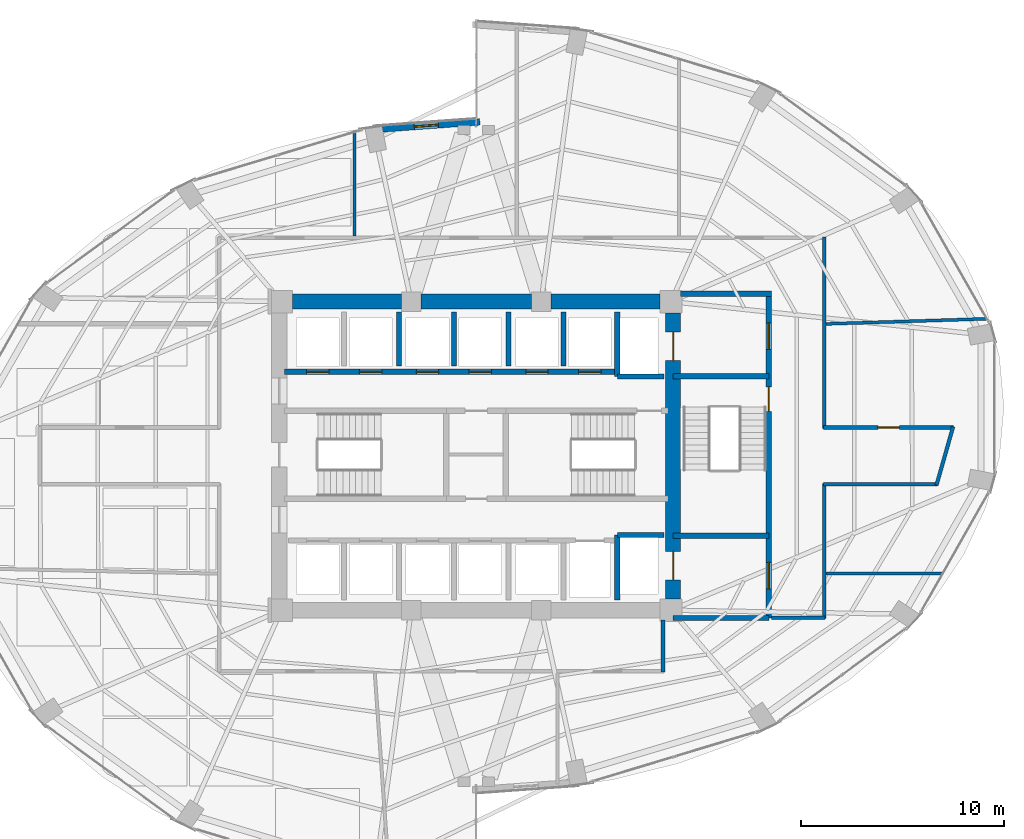
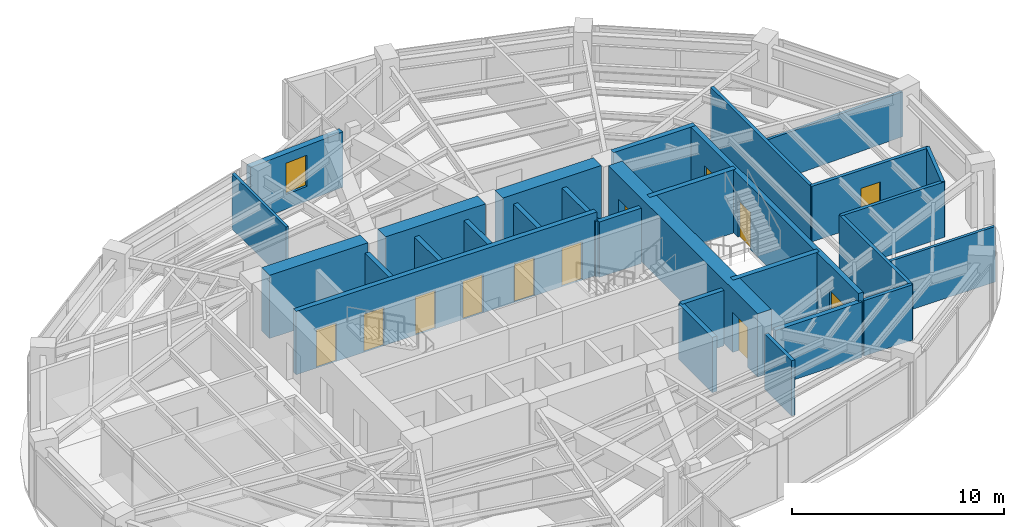
# One storey, part 21 of 24: 29 walls, 12 doors, 1 window, 13 openings.
"""IFC4 building model written with IfcOpenShell, lengths in metres."""

import ifcopenshell
import ifcopenshell.guid

model = None  # the IFC model being written
_history = None  # IfcOwnerHistory: only IFC2X3 demands one
_inside = {}  # id of a spatial element -> (the spatial element, [elements in it])
_under = {}  # id of a project, library or spatial element -> (it, [spatial elements below it])
_declared = {}  # id of a project -> (the project, [libraries it declares])
_typed = {}  # id of a type object -> (the type object, [elements of that type])
_made_of = {}  # id of a material, layer set ... -> (it, [elements and type objects made of it])


def new_model(schema):
    """Start an empty IFC model of exactly this schema.

    Asked for "IFC4X3", IfcOpenShell would pick the latest addendum, in which some entities
    have other attributes; the version numbers below select the first issue.
    IFC2X3 requires an IfcOwnerHistory on every rooted entity: one is made here for all.
    """
    global model, _history
    if schema == "IFC4X3":
        model = ifcopenshell.file(schema_version=(4, 3, 0, 0))
    else:
        model = ifcopenshell.file(schema=schema)
    _inside.clear()
    _under.clear()
    _declared.clear()
    _typed.clear()
    _made_of.clear()
    _history = None
    if model.schema == "IFC2X3":
        org = make("IfcOrganization", Name="unknown")
        user = make(
            "IfcPersonAndOrganization",
            ThePerson=make("IfcPerson", FamilyName="unknown"),
            TheOrganization=org,
        )
        app = make(
            "IfcApplication",
            ApplicationDeveloper=org,
            Version="unknown",
            ApplicationFullName="unknown",
            ApplicationIdentifier="unknown",
        )
        _history = make(
            "IfcOwnerHistory",
            OwningUser=user,
            OwningApplication=app,
            ChangeAction="ADDED",
            CreationDate=0,
        )
    return model


def make(cls, **values):
    """One entity of the class cls with the attributes given. An attribute that is None is left unset."""
    return model.create_entity(
        cls, **{name: value for name, value in values.items() if value is not None}
    )


def rooted(cls, **values):
    """An entity with a GlobalId (a new one), such as an element, a storey or a relation."""
    return make(cls, GlobalId=ifcopenshell.guid.new(), OwnerHistory=_history, **values)


def si_unit(unit_type, name, prefix=None):
    """IfcSIUnit, for example si_unit("LENGTHUNIT", "METRE", prefix="MILLI")."""
    return make("IfcSIUnit", UnitType=unit_type, Prefix=prefix, Name=name)


def assignment(units):
    """IfcUnitAssignment: the units of a project."""
    return None if units is None else make("IfcUnitAssignment", Units=units)


def point(xyz):
    """IfcCartesianPoint."""
    return None if xyz is None else make("IfcCartesianPoint", Coordinates=xyz)


def direction(xyz):
    """IfcDirection."""
    return None if xyz is None else make("IfcDirection", DirectionRatios=xyz)


def frame(location, z_axis=None, x_axis=None):
    """IfcAxis2Placement3D, a coordinate frame: its origin and axes. An axis left out is left unset."""
    return make(
        "IfcAxis2Placement3D",
        Location=point(location),
        Axis=direction(z_axis),
        RefDirection=direction(x_axis),
    )


def frame_2d(location, x_axis=None):
    """IfcAxis2Placement2D, a coordinate frame in the plane: its origin and x axis."""
    return make(
        "IfcAxis2Placement2D", Location=point(location), RefDirection=direction(x_axis)
    )


def origin():
    """The frame at (0, 0, 0) with its axes left unset."""
    return frame((0.0, 0.0, 0.0))


def place(relative_to, where):
    """IfcLocalPlacement: puts the frame where relative to a parent placement (None: the world)."""
    return make(
        "IfcLocalPlacement", PlacementRelTo=relative_to, RelativePlacement=where
    )


def context(
    kind, dimensions, precision=None, world=None, true_north=None, identifier=None
):
    """IfcGeometricRepresentationContext, for example the 3D "Model" context."""
    return make(
        "IfcGeometricRepresentationContext",
        ContextIdentifier=identifier,
        ContextType=kind,
        CoordinateSpaceDimension=dimensions,
        Precision=precision,
        WorldCoordinateSystem=world,
        TrueNorth=true_north,
    )


def subcontext(parent, identifier, kind, view, scale=None):
    """IfcGeometricRepresentationSubContext, for example "Body" below "Model"."""
    return make(
        "IfcGeometricRepresentationSubContext",
        ContextIdentifier=identifier,
        ContextType=kind,
        ParentContext=parent,
        TargetScale=scale,
        TargetView=view,
    )


def project(units=None, contexts=None):
    """IfcProject with its units and contexts."""
    return rooted(
        "IfcProject",
        Name="project",
        RepresentationContexts=contexts,
        UnitsInContext=assignment(units),
    )


def spatial(cls, under=None, at=None, **own):
    """A site, building, storey or space (cls), placed at a placement, below another one or the project."""
    s = rooted(cls, ObjectPlacement=at, **own)
    if under is not None:
        _under.setdefault(under.id(), (under, []))[1].append(s)
    return s


def profile(cls, at=None, kind="AREA", **sizes):
    """A parametric profile (cls). Its sizes go by their IFC names, for example OverallWidth=200.0."""
    return make(cls, ProfileType=kind, Position=at, **sizes)


def rectangle(**sizes):
    """IfcRectangleProfileDef."""
    return profile("IfcRectangleProfileDef", **sizes)


def extrude(swept, where, along, depth):
    """IfcExtrudedAreaSolid: the profile swept, set in the frame where, extruded along a direction by depth."""
    return make(
        "IfcExtrudedAreaSolid",
        SweptArea=swept,
        Position=where,
        ExtrudedDirection=direction(along),
        Depth=depth,
    )


def shape(context_of_items, identifier, shape_type, items):
    """IfcShapeRepresentation: the items that make up one representation, for example the "Body"."""
    return make(
        "IfcShapeRepresentation",
        ContextOfItems=context_of_items,
        RepresentationIdentifier=identifier,
        RepresentationType=shape_type,
        Items=items,
    )


def material(Name=None, Category=None):
    """IfcMaterial."""
    return make("IfcMaterial", Name=Name, Category=Category)


def layer(
    of_material, thickness, ventilated=None, Name=None, Category=None, Priority=None
):
    """IfcMaterialLayer: one layer of a wall or slab, of a material (None: an air gap)."""
    return make(
        "IfcMaterialLayer",
        Material=of_material,
        LayerThickness=thickness,
        IsVentilated=ventilated,
        Name=Name,
        Category=Category,
        Priority=Priority,
    )


def layer_set(layers, Name=None):
    """IfcMaterialLayerSet."""
    return make("IfcMaterialLayerSet", MaterialLayers=layers, LayerSetName=Name)


def made_of(thing, what):
    """Note that an element or type object is made of a material, layer set ...; save() writes the relation."""
    if what is not None:
        _made_of.setdefault(what.id(), (what, []))[1].append(thing)
    return thing


def type_object(cls, material=None, **own):
    """A type object (cls), such as IfcWallType, which elements share."""
    return made_of(rooted(cls, **own), material)


def element(
    cls,
    number,
    at=None,
    inside=None,
    cuts=None,
    type_object=None,
    material=None,
    context=None,
    identifier="Body",
    shape_type=None,
    held_by="IfcProductDefinitionShape",
    body=None,
    shapes=None,
    **own,
):
    """One element of the class cls, such as IfcWall. Its Tag is "e" and its number.

    at: its placement. inside: the storey or other place that contains it. cuts: it is an
    opening in that element (IfcRelVoidsElement). A single representation is given by context,
    identifier, shape_type and body (its items); several are given by shapes. held_by: the class
    of the entity that holds the representations. save() writes the other relations.
    """
    e = rooted(cls, Tag="e%d" % number, ObjectPlacement=at, **own)
    if body is not None:
        shapes = [shape(context, identifier, shape_type, body)]
    if shapes is not None:
        e.Representation = make(held_by, Representations=shapes)
    if inside is not None:
        _inside.setdefault(inside.id(), (inside, []))[1].append(e)
    if cuts is not None:
        rooted(
            "IfcRelVoidsElement", RelatingBuildingElement=cuts, RelatedOpeningElement=e
        )
    if type_object is not None:
        _typed.setdefault(type_object.id(), (type_object, []))[1].append(e)
    return made_of(e, material)


def fill(opening, filler):
    """IfcRelFillsElement: the door or window that sits in an opening."""
    return rooted(
        "IfcRelFillsElement",
        RelatingOpeningElement=opening,
        RelatedBuildingElement=filler,
    )


def aggregate(whole, parts):
    """IfcRelAggregates: a whole, such as a stair, and the parts it consists of."""
    return rooted("IfcRelAggregates", RelatingObject=whole, RelatedObjects=parts)


def save(model, path):
    """Write the relations noted so far, then the file.

    IfcRelAggregates (storeys below a building ...), IfcRelContainedInSpatialStructure (elements
    in a storey), IfcRelDefinesByType, IfcRelAssociatesMaterial and IfcRelDeclares: one each for
    every whole, place, type object, material and project.
    """
    for whole, parts in _under.values():
        aggregate(whole, parts)
    for where, things in _inside.values():
        rooted(
            "IfcRelContainedInSpatialStructure",
            RelatedElements=things,
            RelatingStructure=where,
        )
    for kind, things in _typed.values():
        rooted("IfcRelDefinesByType", RelatedObjects=things, RelatingType=kind)
    for what, things in _made_of.values():
        rooted("IfcRelAssociatesMaterial", RelatedObjects=things, RelatingMaterial=what)
    for by, libraries in _declared.values():
        rooted("IfcRelDeclares", RelatingContext=by, RelatedDefinitions=libraries)
    model.write(path)


model = new_model("IFC4")

# Units and contexts
model_context = context("Model", 3, precision=1e-05, world=origin(), true_north=direction((0.0, 1.0)))
body_context = subcontext(model_context, "Body", "Model", "MODEL_VIEW")
ifc_project = project(units=[si_unit("LENGTHUNIT", "METRE"), si_unit("AREAUNIT", "SQUARE_METRE"), si_unit("VOLUMEUNIT", "CUBIC_METRE"), si_unit("PLANEANGLEUNIT", "RADIAN"), si_unit("MASSUNIT", "GRAM", prefix="KILO")], contexts=[model_context])

# Site, building, storey
site_placement = place(None, origin())
site = spatial("IfcSite", under=ifc_project, at=site_placement, CompositionType="ELEMENT")
building_placement = place(site_placement, origin())
building = spatial("IfcBuilding", under=site, at=building_placement, Name="Lazwardi Medical Tower", CompositionType="ELEMENT")
storey_placement = place(building_placement, frame((0.0, 0.0, 129.16796875)))
storey = spatial("IfcBuildingStorey", under=building, at=storey_placement, Name="L33", CompositionType="ELEMENT", Elevation=129.16796875)

# Wall
ifc_material_1 = material(Name="Fire-rated gypsum board on steel stud", Category="steel")
ifc_layer_1 = layer(ifc_material_1, 0.179931640625)
ifc_layer_set_1 = layer_set([ifc_layer_1], Name="Fire-rated gypsum board on steel stud")
wall_type_1 = type_object("IfcWallType", Name="WL-COR-180", PredefinedType="PARTITIONING", material=ifc_layer_set_1)
wall_1_placement = place(storey_placement, frame((53.14990234375, 38.7900390625, 0.0), z_axis=(0.0, 0.0, 1.0), x_axis=(0.0, -1.0, 0.0)))
element("IfcWall", 1, at=wall_1_placement, inside=storey, type_object=wall_type_1, Name="L33 Corridor partition 5", PredefinedType="PARTITIONING", context=body_context, shape_type="SweptSolid", body=[
    extrude(rectangle(XDim=9.429931640625, YDim=0.179931640625, at=frame_2d((4.71484375, 0.0))), origin(), (0.0, 0.0, 1.0), 3.197998046875),
])

# Wall, opening, door
wall_2_placement = place(storey_placement, frame((53.110107421875, 29.39990234375, 0.0), z_axis=(0.0, 0.0, 1.0), x_axis=(1.0, 0.0, 0.0)))
wall_2 = element("IfcWall", 2, at=wall_2_placement, inside=storey, type_object=wall_type_1, Name="L33 Corridor partition 6", PredefinedType="PARTITIONING", context=body_context, shape_type="SweptSolid", body=[
    extrude(rectangle(XDim=6.41259765625, YDim=0.179931640625, at=frame_2d((3.206298828125, 0.0))), origin(), (0.0, 0.0, 1.0), 3.197998046875),
])
opening_1_placement = place(wall_2_placement, frame((2.681396484375, 0.0, 0.0)))
opening_1 = element("IfcOpeningElement", 3, at=opening_1_placement, cuts=wall_2, Name="Opening D-L33-010", PredefinedType="OPENING", context=body_context, shape_type="SweptSolid", body=[
    extrude(rectangle(XDim=1.050048828125, YDim=2.14990234375, at=frame_2d((0.52490234375, 1.074951171875))), frame((0.0, 0.099853515625, 0.0), z_axis=(0.0, -1.0, 0.0), x_axis=(1.0, 0.0, 0.0)), (0.0, 0.0, 1.0), 0.199951171875),
])
ifc_material_2 = material(Name="Anti-microbial laminate hospital leaf")
door_type_1 = type_object("IfcDoorType", Name="DR-CLN-1050", OperationType="NOTDEFINED", PredefinedType="DOOR", material=ifc_material_2)
door_1_placement = place(opening_1_placement, origin())
door_1 = element("IfcDoor", 4, at=door_1_placement, inside=storey, type_object=door_type_1, Name="L33 Ward Dietetic Pantry Door 04", OperationType="SINGLE_SWING_LEFT", OverallHeight=2.14990234375, OverallWidth=1.050048828125, PredefinedType="DOOR", context=body_context, shape_type="SweptSolid", body=[
    extrude(rectangle(XDim=1.050048828125, YDim=2.14990234375, at=frame_2d((0.52490234375, 1.074951171875))), frame((0.0, 0.02490234375, 0.0), z_axis=(0.0, -1.0, 0.0), x_axis=(1.0, 0.0, 0.0)), (0.0, 0.0, 1.0), 0.050048828125),
])
fill(opening_1, door_1)

# Walls
wall_3_placement = place(storey_placement, frame((59.49365234375, 29.4384765625, 0.0), z_axis=(0.0, 0.0, 1.0), x_axis=(-0.273222154729, -0.961950962453, 0.0)))
element("IfcWall", 5, at=wall_3_placement, inside=storey, type_object=wall_type_1, Name="L33 Corridor partition 7", PredefinedType="PARTITIONING", context=body_context, shape_type="SweptSolid", body=[
    extrude(rectangle(XDim=2.99072265625, YDim=0.179931640625, at=frame_2d((1.495361328125, 0.0))), origin(), (0.0, 0.0, 1.0), 3.197998046875),
])
wall_4_placement = place(storey_placement, frame((58.727294921875, 26.60009765625, 0.0), z_axis=(0.0, 0.0, 1.0), x_axis=(-1.0, 0.0, 0.0)))
element("IfcWall", 6, at=wall_4_placement, inside=storey, type_object=wall_type_1, Name="L33 Corridor partition 8", PredefinedType="PARTITIONING", context=body_context, shape_type="SweptSolid", body=[
    extrude(rectangle(XDim=5.6171875, YDim=0.179931640625, at=frame_2d((2.80859375, 0.0))), origin(), (0.0, 0.0, 1.0), 3.197998046875),
])
wall_5_placement = place(storey_placement, frame((53.14990234375, 26.639892578125, 0.0), z_axis=(0.0, 0.0, 1.0), x_axis=(0.0, -1.0, 0.0)))
element("IfcWall", 7, at=wall_5_placement, inside=storey, type_object=wall_type_1, Name="L33 Corridor partition 9", PredefinedType="PARTITIONING", context=body_context, shape_type="SweptSolid", body=[
    extrude(rectangle(XDim=6.659912109375, YDim=0.179931640625, at=frame_2d((3.330078125, 0.0))), origin(), (0.0, 0.0, 1.0), 3.197998046875),
])
wall_6_placement = place(storey_placement, frame((53.18994140625, 20.02001953125, 0.0), z_axis=(0.0, 0.0, 1.0), x_axis=(-1.0, 0.0, 0.0)))
element("IfcWall", 8, at=wall_6_placement, inside=storey, type_object=wall_type_1, Name="L33 Corridor partition 10", PredefinedType="PARTITIONING", context=body_context, shape_type="SweptSolid", body=[
    extrude(rectangle(XDim=2.64990234375, YDim=0.179931640625, at=frame_2d((1.324951171875, 0.0))), origin(), (0.0, 0.0, 1.0), 3.197998046875),
])
wall_7_placement = place(storey_placement, frame((45.199951171875, 19.909912109375, 0.0), z_axis=(0.0, 0.0, 1.0), x_axis=(0.0, -1.0, 0.0)))
element("IfcWall", 9, at=wall_7_placement, inside=storey, type_object=wall_type_1, Name="L33 Corridor partition 13", PredefinedType="PARTITIONING", context=body_context, shape_type="SweptSolid", body=[
    extrude(rectangle(XDim=2.5498046875, YDim=0.179931640625, at=frame_2d((1.27490234375, 0.0))), origin(), (0.0, 0.0, 1.0), 3.197998046875),
])

# Wall, openings, doors
ifc_material_3 = material(Name="Concrete C70/85", Category="concrete")
ifc_layer_2 = layer(ifc_material_3, 0.75)
ifc_layer_set_2 = layer_set([ifc_layer_2], Name="Concrete C70/85")
wall_type_2 = type_object("IfcWallType", Name="WL-CORE-750", PredefinedType="SHEAR", material=ifc_layer_set_2)
wall_8_placement = place(storey_placement, frame((45.699951171875, 20.949951171875, 0.0), z_axis=(0.0, 0.0, 1.0), x_axis=(0.0, 1.0, 0.0)))
wall_8 = element("IfcWall", 10, at=wall_8_placement, inside=storey, type_object=wall_type_2, Name="Core wall CW-S2 east L33", PredefinedType="SHEAR", context=body_context, shape_type="SweptSolid", body=[
    extrude(rectangle(XDim=14.10009765625, YDim=0.75, at=frame_2d((7.050048828125, 0.0))), origin(), (0.0, 0.0, 1.0), 3.64794921875),
])
opening_2_placement = place(wall_8_placement, frame((11.75, 0.0, 0.0)))
opening_2 = element("IfcOpeningElement", 11, at=opening_2_placement, cuts=wall_8, Name="Opening LD-L33-001", PredefinedType="OPENING", context=body_context, shape_type="SweptSolid", body=[
    extrude(rectangle(XDim=1.39990234375, YDim=2.300048828125, at=frame_2d((0.699951171875, 1.14990234375))), frame((0.0, 0.385009765625, 0.0), z_axis=(0.0, -1.0, 0.0), x_axis=(1.0, 0.0, 0.0)), (0.0, 0.0, 1.0), 0.77001953125),
])
opening_3_placement = place(wall_8_placement, frame((0.949951171875, 0.0, 0.0)))
opening_3 = element("IfcOpeningElement", 12, at=opening_3_placement, cuts=wall_8, Name="Opening LD-L33-002", PredefinedType="OPENING", context=body_context, shape_type="SweptSolid", body=[
    extrude(rectangle(XDim=1.39990234375, YDim=2.300048828125, at=frame_2d((0.699951171875, 1.14990234375))), frame((0.0, 0.385009765625, 0.0), z_axis=(0.0, -1.0, 0.0), x_axis=(1.0, 0.0, 0.0)), (0.0, 0.0, 1.0), 0.77001953125),
])
ifc_material_4 = material(Name="Brushed stainless steel bed-lift landing door", Category="steel")
door_type_2 = type_object("IfcDoorType", Name="DR-LFT-1400", OperationType="NOTDEFINED", PredefinedType="DOOR", material=ifc_material_4)
door_2_placement = place(opening_2_placement, origin())
door_2 = element("IfcDoor", 13, at=door_2_placement, inside=storey, type_object=door_type_2, Name="L33 Lift Landing Door FL-01", OperationType="SLIDING_TO_LEFT", OverallHeight=2.300048828125, OverallWidth=1.39990234375, PredefinedType="DOOR", context=body_context, shape_type="SweptSolid", body=[
    extrude(rectangle(XDim=1.39990234375, YDim=2.300048828125, at=frame_2d((0.699951171875, 1.14990234375))), frame((0.0, 0.02490234375, 0.0), z_axis=(0.0, -1.0, 0.0), x_axis=(1.0, 0.0, 0.0)), (0.0, 0.0, 1.0), 0.050048828125),
])
fill(opening_2, door_2)
door_3_placement = place(opening_3_placement, origin())
door_3 = element("IfcDoor", 14, at=door_3_placement, inside=storey, type_object=door_type_2, Name="L33 Lift Landing Door FL-02", OperationType="SLIDING_TO_LEFT", OverallHeight=2.300048828125, OverallWidth=1.39990234375, PredefinedType="DOOR", context=body_context, shape_type="SweptSolid", body=[
    extrude(rectangle(XDim=1.39990234375, YDim=2.300048828125, at=frame_2d((0.699951171875, 1.14990234375))), frame((0.0, 0.02490234375, 0.0), z_axis=(0.0, -1.0, 0.0), x_axis=(1.0, 0.0, 0.0)), (0.0, 0.0, 1.0), 0.050048828125),
])
fill(opening_3, door_3)

# Walls
wall_9_placement = place(storey_placement, frame((26.949951171875, 35.60009765625, 0.0), z_axis=(0.0, 0.0, 1.0), x_axis=(1.0, 0.0, 0.0)))
element("IfcWall", 15, at=wall_9_placement, inside=storey, type_object=wall_type_2, Name="Core wall CW-S2 N1 L33", PredefinedType="SHEAR", context=body_context, shape_type="SweptSolid", body=[
    extrude(rectangle(XDim=5.375, YDim=0.75, at=frame_2d((2.6875, 0.0))), origin(), (0.0, 0.0, 1.0), 3.64794921875),
])
wall_10_placement = place(storey_placement, frame((33.27490234375, 35.60009765625, 0.0), z_axis=(0.0, 0.0, 1.0), x_axis=(1.0, 0.0, 0.0)))
element("IfcWall", 16, at=wall_10_placement, inside=storey, type_object=wall_type_2, Name="Core wall CW-S2 N2 L33", PredefinedType="SHEAR", context=body_context, shape_type="SweptSolid", body=[
    extrude(rectangle(XDim=5.4501953125, YDim=0.75, at=frame_2d((2.72509765625, 0.0))), origin(), (0.0, 0.0, 1.0), 3.64794921875),
])
wall_11_placement = place(storey_placement, frame((39.675048828125, 35.60009765625, 0.0), z_axis=(0.0, 0.0, 1.0), x_axis=(1.0, 0.0, 0.0)))
element("IfcWall", 17, at=wall_11_placement, inside=storey, type_object=wall_type_2, Name="Core wall CW-S2 N3 L33", PredefinedType="SHEAR", context=body_context, shape_type="SweptSolid", body=[
    extrude(rectangle(XDim=5.375, YDim=0.75, at=frame_2d((2.6875, 0.0))), origin(), (0.0, 0.0, 1.0), 3.64794921875),
])

# Wall, opening, window
ifc_material_5 = material(Name="Precast concrete C45/55", Category="concrete")
ifc_layer_3 = layer(ifc_material_5, 0.320068359375)
ifc_layer_set_3 = layer_set([ifc_layer_3], Name="Precast concrete C45/55")
wall_type_3 = type_object("IfcWallType", Name="WL-IWAN-320", PredefinedType="SOLIDWALL", material=ifc_layer_set_3)
wall_12_placement = place(storey_placement, frame((36.178955078125, 44.452880859375, 0.0), z_axis=(0.0, 0.0, 1.0), x_axis=(-0.997431890304, -0.071621394884, 0.0)))
wall_12 = element("IfcWall", 18, at=wall_12_placement, inside=storey, type_object=wall_type_3, Name="L33 Iwan Portal Return Wall NW_ret", PredefinedType="SOLIDWALL", context=body_context, shape_type="SweptSolid", body=[
    extrude(rectangle(XDim=5.28369140625, YDim=0.320068359375, at=frame_2d((2.641845703125, 0.0))), origin(), (0.0, 0.0, 1.0), 3.197998046875),
])
opening_4_placement = place(wall_12_placement, frame((2.041748046875, 0.0, 0.85009765625)))
opening_4 = element("IfcOpeningElement", 19, at=opening_4_placement, cuts=wall_12, Name="Opening WN-04", PredefinedType="OPENING", context=body_context, shape_type="SweptSolid", body=[
    extrude(rectangle(XDim=1.199951171875, YDim=1.800048828125, at=frame_2d((0.60009765625, 0.89990234375))), frame((0.0, 0.169921875, 0.0), z_axis=(0.0, -1.0, 0.0), x_axis=(1.0, 0.0, 0.0)), (0.0, 0.0, 1.0), 0.340087890625),
])
ifc_material_6 = material(Name="Low-e bronze solar control double glazing", Category="glass")
window_type = type_object("IfcWindowType", Name="WIN-DRUM-1200", PartitioningType="SINGLE_PANEL", PredefinedType="WINDOW", material=ifc_material_6)
window_placement = place(opening_4_placement, origin())
window = element("IfcWindow", 20, at=window_placement, inside=storey, type_object=window_type, Name="L33 Iwan Slot Window NW_ret", OverallHeight=1.800048828125, OverallWidth=1.199951171875, PartitioningType="SINGLE_PANEL", PredefinedType="WINDOW", context=body_context, shape_type="SweptSolid", body=[
    extrude(rectangle(XDim=1.199951171875, YDim=1.800048828125, at=frame_2d((0.60009765625, 0.89990234375))), frame((0.0, 0.030029296875, 0.0), z_axis=(0.0, -1.0, 0.0), x_axis=(1.0, 0.0, 0.0)), (0.0, 0.0, 1.0), 0.06005859375),
])
fill(opening_4, window)

# Walls
ifc_material_7 = material(Name="Autoclaved aerated concrete blockwork", Category="masonry")
ifc_layer_4 = layer(ifc_material_7, 0.25)
ifc_layer_set_4 = layer_set([ifc_layer_4], Name="Autoclaved aerated concrete blockwork")
wall_type_4 = type_object("IfcWallType", Name="WL-SHAFT-250", PredefinedType="SOLIDWALL", material=ifc_layer_set_4)
wall_13_placement = place(storey_placement, frame((42.949951171875, 31.919921875, 0.0), z_axis=(0.0, 0.0, 1.0), x_axis=(0.0, 1.0, 0.0)))
element("IfcWall", 21, at=wall_13_placement, inside=storey, type_object=wall_type_4, Name="L33 FL-01 West shaft wall", PredefinedType="SOLIDWALL", context=body_context, shape_type="SweptSolid", body=[
    extrude(rectangle(XDim=3.18017578125, YDim=0.25, at=frame_2d((1.590087890625, 0.0))), origin(), (0.0, 0.0, 1.0), 3.197998046875),
])
wall_14_placement = place(storey_placement, frame((42.949951171875, 31.919921875, 0.0), z_axis=(0.0, 0.0, 1.0), x_axis=(1.0, 0.0, 0.0)))
element("IfcWall", 22, at=wall_14_placement, inside=storey, type_object=wall_type_4, Name="L33 FL-01 South shaft wall", PredefinedType="SOLIDWALL", context=body_context, shape_type="SweptSolid", body=[
    extrude(rectangle(XDim=2.300048828125, YDim=0.25, at=frame_2d((1.14990234375, 0.0))), origin(), (0.0, 0.0, 1.0), 3.197998046875),
])
wall_15_placement = place(storey_placement, frame((42.949951171875, 20.89990234375, 0.0), z_axis=(0.0, 0.0, 1.0), x_axis=(0.0, 1.0, 0.0)))
element("IfcWall", 23, at=wall_15_placement, inside=storey, type_object=wall_type_4, Name="L33 FL-02 West shaft wall", PredefinedType="SOLIDWALL", context=body_context, shape_type="SweptSolid", body=[
    extrude(rectangle(XDim=3.2001953125, YDim=0.25, at=frame_2d((1.60009765625, 0.0))), origin(), (0.0, 0.0, 1.0), 3.197998046875),
])
wall_16_placement = place(storey_placement, frame((42.949951171875, 24.10009765625, 0.0), z_axis=(0.0, 0.0, 1.0), x_axis=(1.0, 0.0, 0.0)))
element("IfcWall", 24, at=wall_16_placement, inside=storey, type_object=wall_type_4, Name="L33 FL-02 North shaft wall", PredefinedType="SOLIDWALL", context=body_context, shape_type="SweptSolid", body=[
    extrude(rectangle(XDim=2.300048828125, YDim=0.25, at=frame_2d((1.14990234375, 0.0))), origin(), (0.0, 0.0, 1.0), 3.197998046875),
])
for number, where, z_axis, x_axis, name in (
    (25, (32.199951171875, 32.419921875, 0.0), (0.0, 0.0, 1.0), (0.0, 1.0, 0.0), "L33 North hoistway divider"),
    (26, (34.89990234375, 32.419921875, 0.0), (0.0, 0.0, 1.0), (0.0, 1.0, 0.0), "L33 North hoistway divider"),
    (27, (37.60009765625, 32.419921875, 0.0), (0.0, 0.0, 1.0), (0.0, 1.0, 0.0), "L33 North hoistway divider"),
    (28, (40.300048828125, 32.419921875, 0.0), (0.0, 0.0, 1.0), (0.0, 1.0, 0.0), "L33 North hoistway divider"),
):
    element("IfcWall", number, at=place(storey_placement, frame(where, z_axis=z_axis, x_axis=x_axis)), inside=storey, type_object=wall_type_4, Name=name, PredefinedType="SOLIDWALL", context=body_context, shape_type="SweptSolid", body=[
        extrude(rectangle(XDim=2.68017578125, YDim=0.25, at=frame_2d((1.340087890625, 0.0))), origin(), (0.0, 0.0, 1.0), 3.197998046875),
    ])
wall_17_placement = place(storey_placement, frame((45.699951171875, 20.02001953125, 0.0), z_axis=(0.0, 0.0, 1.0), x_axis=(1.0, 0.0, 0.0)))
element("IfcWall", 29, at=wall_17_placement, inside=storey, type_object=wall_type_4, Name="L33 FFL-S South wall", PredefinedType="SOLIDWALL", context=body_context, shape_type="SweptSolid", body=[
    extrude(rectangle(XDim=4.715087890625, YDim=0.25, at=frame_2d((2.357421875, 0.0))), origin(), (0.0, 0.0, 1.0), 3.197998046875),
])

# Wall, openings, doors
ifc_material_8 = material(Name="Concrete C50/60", Category="concrete")
ifc_layer_5 = layer(ifc_material_8, 0.27001953125)
ifc_layer_set_5 = layer_set([ifc_layer_5], Name="Concrete C50/60")
wall_type_5 = type_object("IfcWallType", Name="WL-STR-250", PredefinedType="SHEAR", material=ifc_layer_set_5)
wall_18_placement = place(storey_placement, frame((26.550048828125, 32.14990234375, 0.0), z_axis=(0.0, 0.0, 1.0), x_axis=(1.0, 0.0, 0.0)))
wall_18 = element("IfcWall", 30, at=wall_18_placement, inside=storey, type_object=wall_type_5, Name="L33 North lift bank shear wall SW-S1", PredefinedType="SHEAR", context=body_context, shape_type="SweptSolid", body=[
    extrude(rectangle(XDim=16.39990234375, YDim=0.27001953125, at=frame_2d((8.199951171875, 0.0))), origin(), (0.0, 0.0, 1.0), 3.64794921875),
])
opening_5_placement = place(wall_18_placement, frame((1.10009765625, 0.0, 0.0)))
opening_5 = element("IfcOpeningElement", 31, at=opening_5_placement, cuts=wall_18, Name="Opening LD-L33-004", PredefinedType="OPENING", context=body_context, shape_type="SweptSolid", body=[
    extrude(rectangle(XDim=1.10009765625, YDim=2.199951171875, at=frame_2d((0.550048828125, 1.10009765625))), frame((0.0, 0.14501953125, 0.0), z_axis=(0.0, -1.0, 0.0), x_axis=(1.0, 0.0, 0.0)), (0.0, 0.0, 1.0), 0.2900390625),
])
opening_6_placement = place(wall_18_placement, frame((3.699951171875, 0.0, 0.0)))
opening_6 = element("IfcOpeningElement", 32, at=opening_6_placement, cuts=wall_18, Name="Opening LD-L33-005", PredefinedType="OPENING", context=body_context, shape_type="SweptSolid", body=[
    extrude(rectangle(XDim=1.10009765625, YDim=2.199951171875, at=frame_2d((0.550048828125, 1.10009765625))), frame((0.0, 0.14501953125, 0.0), z_axis=(0.0, -1.0, 0.0), x_axis=(1.0, 0.0, 0.0)), (0.0, 0.0, 1.0), 0.2900390625),
])
opening_7_placement = place(wall_18_placement, frame((6.5, 0.0, 0.0)))
opening_7 = element("IfcOpeningElement", 33, at=opening_7_placement, cuts=wall_18, Name="Opening LD-L33-008", PredefinedType="OPENING", context=body_context, shape_type="SweptSolid", body=[
    extrude(rectangle(XDim=1.10009765625, YDim=2.199951171875, at=frame_2d((0.550048828125, 1.10009765625))), frame((0.0, 0.14501953125, 0.0), z_axis=(0.0, -1.0, 0.0), x_axis=(1.0, 0.0, 0.0)), (0.0, 0.0, 1.0), 0.2900390625),
])
opening_8_placement = place(wall_18_placement, frame((9.10009765625, 0.0, 0.0)))
opening_8 = element("IfcOpeningElement", 34, at=opening_8_placement, cuts=wall_18, Name="Opening LD-L33-009", PredefinedType="OPENING", context=body_context, shape_type="SweptSolid", body=[
    extrude(rectangle(XDim=1.10009765625, YDim=2.199951171875, at=frame_2d((0.550048828125, 1.10009765625))), frame((0.0, 0.14501953125, 0.0), z_axis=(0.0, -1.0, 0.0), x_axis=(1.0, 0.0, 0.0)), (0.0, 0.0, 1.0), 0.2900390625),
])
opening_9_placement = place(wall_18_placement, frame((11.89990234375, 0.0, 0.0)))
opening_9 = element("IfcOpeningElement", 35, at=opening_9_placement, cuts=wall_18, Name="Opening LD-L33-012", PredefinedType="OPENING", context=body_context, shape_type="SweptSolid", body=[
    extrude(rectangle(XDim=1.10009765625, YDim=2.199951171875, at=frame_2d((0.550048828125, 1.10009765625))), frame((0.0, 0.14501953125, 0.0), z_axis=(0.0, -1.0, 0.0), x_axis=(1.0, 0.0, 0.0)), (0.0, 0.0, 1.0), 0.2900390625),
])
opening_10_placement = place(wall_18_placement, frame((14.5, 0.0, 0.0)))
opening_10 = element("IfcOpeningElement", 36, at=opening_10_placement, cuts=wall_18, Name="Opening LD-L33-013", PredefinedType="OPENING", context=body_context, shape_type="SweptSolid", body=[
    extrude(rectangle(XDim=1.10009765625, YDim=2.199951171875, at=frame_2d((0.550048828125, 1.10009765625))), frame((0.0, 0.14501953125, 0.0), z_axis=(0.0, -1.0, 0.0), x_axis=(1.0, 0.0, 0.0)), (0.0, 0.0, 1.0), 0.2900390625),
])
ifc_material_9 = material(Name="Brushed bronze stainless steel landing door", Category="steel")
door_type_3 = type_object("IfcDoorType", Name="DR-LFT-1100", OperationType="NOTDEFINED", PredefinedType="DOOR", material=ifc_material_9)
door_4_placement = place(opening_5_placement, origin())
door_4 = element("IfcDoor", 37, at=door_4_placement, inside=storey, type_object=door_type_3, Name="L33 Lift Landing Door PL-01", OperationType="SLIDING_TO_LEFT", OverallHeight=2.199951171875, OverallWidth=1.10009765625, PredefinedType="DOOR", context=body_context, shape_type="SweptSolid", body=[
    extrude(rectangle(XDim=1.10009765625, YDim=2.199951171875, at=frame_2d((0.550048828125, 1.10009765625))), frame((0.0, 0.02490234375, 0.0), z_axis=(0.0, -1.0, 0.0), x_axis=(1.0, 0.0, 0.0)), (0.0, 0.0, 1.0), 0.050048828125),
])
fill(opening_5, door_4)
door_5_placement = place(opening_6_placement, origin())
door_5 = element("IfcDoor", 38, at=door_5_placement, inside=storey, type_object=door_type_3, Name="L33 Lift Landing Door PL-02", OperationType="SLIDING_TO_LEFT", OverallHeight=2.199951171875, OverallWidth=1.10009765625, PredefinedType="DOOR", context=body_context, shape_type="SweptSolid", body=[
    extrude(rectangle(XDim=1.10009765625, YDim=2.199951171875, at=frame_2d((0.550048828125, 1.10009765625))), frame((0.0, 0.02490234375, 0.0), z_axis=(0.0, -1.0, 0.0), x_axis=(1.0, 0.0, 0.0)), (0.0, 0.0, 1.0), 0.050048828125),
])
fill(opening_6, door_5)
door_6_placement = place(opening_7_placement, origin())
door_6 = element("IfcDoor", 39, at=door_6_placement, inside=storey, type_object=door_type_3, Name="L33 Lift Landing Door PL-05", OperationType="SLIDING_TO_LEFT", OverallHeight=2.199951171875, OverallWidth=1.10009765625, PredefinedType="DOOR", context=body_context, shape_type="SweptSolid", body=[
    extrude(rectangle(XDim=1.10009765625, YDim=2.199951171875, at=frame_2d((0.550048828125, 1.10009765625))), frame((0.0, 0.02490234375, 0.0), z_axis=(0.0, -1.0, 0.0), x_axis=(1.0, 0.0, 0.0)), (0.0, 0.0, 1.0), 0.050048828125),
])
fill(opening_7, door_6)
door_7_placement = place(opening_8_placement, origin())
door_7 = element("IfcDoor", 40, at=door_7_placement, inside=storey, type_object=door_type_3, Name="L33 Lift Landing Door PL-06", OperationType="SLIDING_TO_LEFT", OverallHeight=2.199951171875, OverallWidth=1.10009765625, PredefinedType="DOOR", context=body_context, shape_type="SweptSolid", body=[
    extrude(rectangle(XDim=1.10009765625, YDim=2.199951171875, at=frame_2d((0.550048828125, 1.10009765625))), frame((0.0, 0.02490234375, 0.0), z_axis=(0.0, -1.0, 0.0), x_axis=(1.0, 0.0, 0.0)), (0.0, 0.0, 1.0), 0.050048828125),
])
fill(opening_8, door_7)
door_8_placement = place(opening_9_placement, origin())
door_8 = element("IfcDoor", 41, at=door_8_placement, inside=storey, type_object=door_type_3, Name="L33 Lift Landing Door PL-09", OperationType="SLIDING_TO_LEFT", OverallHeight=2.199951171875, OverallWidth=1.10009765625, PredefinedType="DOOR", context=body_context, shape_type="SweptSolid", body=[
    extrude(rectangle(XDim=1.10009765625, YDim=2.199951171875, at=frame_2d((0.550048828125, 1.10009765625))), frame((0.0, 0.02490234375, 0.0), z_axis=(0.0, -1.0, 0.0), x_axis=(1.0, 0.0, 0.0)), (0.0, 0.0, 1.0), 0.050048828125),
])
fill(opening_9, door_8)
door_9_placement = place(opening_10_placement, origin())
door_9 = element("IfcDoor", 42, at=door_9_placement, inside=storey, type_object=door_type_3, Name="L33 Lift Landing Door PL-10", OperationType="SLIDING_TO_LEFT", OverallHeight=2.199951171875, OverallWidth=1.10009765625, PredefinedType="DOOR", context=body_context, shape_type="SweptSolid", body=[
    extrude(rectangle(XDim=1.10009765625, YDim=2.199951171875, at=frame_2d((0.550048828125, 1.10009765625))), frame((0.0, 0.02490234375, 0.0), z_axis=(0.0, -1.0, 0.0), x_axis=(1.0, 0.0, 0.0)), (0.0, 0.0, 1.0), 0.050048828125),
])
fill(opening_10, door_9)

wall_19_placement = place(storey_placement, frame((50.4150390625, 35.844970703125, 0.0), z_axis=(0.0, 0.0, 1.0), x_axis=(0.0, -1.0, 0.0)))
wall_19 = element("IfcWall", 43, at=wall_19_placement, inside=storey, type_object=wall_type_5, Name="L33 East ST3 & FFL shear wall SW-S1", PredefinedType="SHEAR", context=body_context, shape_type="SweptSolid", body=[
    extrude(rectangle(XDim=15.824951171875, YDim=0.27001953125, at=frame_2d((7.91259765625, 0.0))), origin(), (0.0, 0.0, 1.0), 3.64794921875),
])
opening_11_placement = place(wall_19_placement, frame((4.445068359375, 0.0, 0.0)))
opening_11 = element("IfcOpeningElement", 44, at=opening_11_placement, cuts=wall_19, Name="Opening D-L33-018", PredefinedType="OPENING", context=body_context, shape_type="SweptSolid", body=[
    extrude(rectangle(XDim=1.199951171875, YDim=2.14990234375, at=frame_2d((0.60009765625, 1.074951171875))), frame((0.0, 0.14501953125, 0.0), z_axis=(0.0, -1.0, 0.0), x_axis=(1.0, 0.0, 0.0)), (0.0, 0.0, 1.0), 0.2900390625),
])
opening_12_placement = place(wall_19_placement, frame((1.294921875, 0.0, 0.0)))
opening_12 = element("IfcOpeningElement", 45, at=opening_12_placement, cuts=wall_19, Name="Opening D-L33-003", PredefinedType="OPENING", context=body_context, shape_type="SweptSolid", body=[
    extrude(rectangle(XDim=1.300048828125, YDim=2.199951171875, at=frame_2d((0.64990234375, 1.10009765625))), frame((0.0, 0.14501953125, 0.0), z_axis=(0.0, -1.0, 0.0), x_axis=(1.0, 0.0, 0.0)), (0.0, 0.0, 1.0), 0.2900390625),
])
opening_13_placement = place(wall_19_placement, frame((13.094970703125, 0.0, 0.0)))
opening_13 = element("IfcOpeningElement", 46, at=opening_13_placement, cuts=wall_19, Name="Opening D-L33-004", PredefinedType="OPENING", context=body_context, shape_type="SweptSolid", body=[
    extrude(rectangle(XDim=1.300048828125, YDim=2.199951171875, at=frame_2d((0.64990234375, 1.10009765625))), frame((0.0, 0.14501953125, 0.0), z_axis=(0.0, -1.0, 0.0), x_axis=(1.0, 0.0, 0.0)), (0.0, 0.0, 1.0), 0.2900390625),
])
ifc_material_10 = material(Name="Fire-rated steel leaf and frame", Category="steel")
door_type_4 = type_object("IfcDoorType", Name="DR-FFL-1300", OperationType="NOTDEFINED", PredefinedType="DOOR", material=ifc_material_10)
door_10_placement = place(opening_12_placement, origin())
door_10 = element("IfcDoor", 47, at=door_10_placement, inside=storey, type_object=door_type_4, Name="L33 Fire-Fighting Lobby North Door", OperationType="SINGLE_SWING_RIGHT", OverallHeight=2.199951171875, OverallWidth=1.300048828125, PredefinedType="DOOR", context=body_context, shape_type="SweptSolid", body=[
    extrude(rectangle(XDim=1.300048828125, YDim=2.199951171875, at=frame_2d((0.64990234375, 1.10009765625))), frame((0.0, 0.02490234375, 0.0), z_axis=(0.0, -1.0, 0.0), x_axis=(1.0, 0.0, 0.0)), (0.0, 0.0, 1.0), 0.050048828125),
])
fill(opening_12, door_10)
door_11_placement = place(opening_13_placement, origin())
door_11 = element("IfcDoor", 48, at=door_11_placement, inside=storey, type_object=door_type_4, Name="L33 Fire-Fighting Lobby South Door", OperationType="SINGLE_SWING_LEFT", OverallHeight=2.199951171875, OverallWidth=1.300048828125, PredefinedType="DOOR", context=body_context, shape_type="SweptSolid", body=[
    extrude(rectangle(XDim=1.300048828125, YDim=2.199951171875, at=frame_2d((0.64990234375, 1.10009765625))), frame((0.0, 0.02490234375, 0.0), z_axis=(0.0, -1.0, 0.0), x_axis=(1.0, 0.0, 0.0)), (0.0, 0.0, 1.0), 0.050048828125),
])
fill(opening_13, door_11)
door_type_5 = type_object("IfcDoorType", Name="DR-STR-1200", OperationType="NOTDEFINED", PredefinedType="DOOR", material=ifc_material_10)
door_12_placement = place(opening_11_placement, origin())
door_12 = element("IfcDoor", 49, at=door_12_placement, inside=storey, type_object=door_type_5, Name="L33 Exit Stair ST3 Door", OperationType="SINGLE_SWING_LEFT", OverallHeight=2.14990234375, OverallWidth=1.199951171875, PredefinedType="DOOR", context=body_context, shape_type="SweptSolid", body=[
    extrude(rectangle(XDim=1.199951171875, YDim=2.14990234375, at=frame_2d((0.60009765625, 1.074951171875))), frame((0.0, 0.02490234375, 0.0), z_axis=(0.0, -1.0, 0.0), x_axis=(1.0, 0.0, 0.0)), (0.0, 0.0, 1.0), 0.050048828125),
])
fill(opening_11, door_12)

# Walls
wall_20_placement = place(storey_placement, frame((46.074951171875, 35.97998046875, 0.0), z_axis=(0.0, 0.0, 1.0), x_axis=(1.0, 0.0, 0.0)))
element("IfcWall", 50, at=wall_20_placement, inside=storey, type_object=wall_type_5, Name="L33 FFL-N North shear wall SW-S1", PredefinedType="SHEAR", context=body_context, shape_type="SweptSolid", body=[
    extrude(rectangle(XDim=4.47509765625, YDim=0.27001953125, at=frame_2d((2.237548828125, 0.0))), origin(), (0.0, 0.0, 1.0), 3.64794921875),
])
for number, where, z_axis, x_axis, name in (
    (51, (45.699951171875, 31.93505859375, 0.0), (0.0, 0.0, 1.0), (1.0, 0.0, 0.0), "L33 ST3 North shear shaft wall SW-S1"),
    (52, (45.699951171875, 24.06494140625, 0.0), (0.0, 0.0, 1.0), (1.0, 0.0, 0.0), "L33 ST3 South shear shaft wall SW-S1"),
):
    element("IfcWall", number, at=place(storey_placement, frame(where, z_axis=z_axis, x_axis=x_axis)), inside=storey, type_object=wall_type_5, Name=name, PredefinedType="SHEAR", context=body_context, shape_type="SweptSolid", body=[
        extrude(rectangle(XDim=4.715087890625, YDim=0.27001953125, at=frame_2d((2.357421875, 0.0))), origin(), (0.0, 0.0, 1.0), 3.64794921875),
    ])
ifc_material_11 = material(Name="Acoustic gypsum board partition")
ifc_layer_6 = layer(ifc_material_11, 0.14990234375)
ifc_layer_set_6 = layer_set([ifc_layer_6], Name="Acoustic gypsum board partition")
wall_type_6 = type_object("IfcWallType", Name="WL-WRD-150", PredefinedType="PARTITIONING", material=ifc_layer_set_6)
wall_21_placement = place(storey_placement, frame((53.239990234375, 22.199951171875, 0.0), z_axis=(0.0, 0.0, 1.0), x_axis=(1.0, 0.0, 0.0)))
element("IfcWall", 53, at=wall_21_placement, inside=storey, type_object=wall_type_6, Name="L33 Room partition 3", PredefinedType="PARTITIONING", context=body_context, shape_type="SweptSolid", body=[
    extrude(rectangle(XDim=5.731201171875, YDim=0.14990234375, at=frame_2d((2.86572265625, 0.0))), origin(), (0.0, 0.0, 1.0), 3.197998046875),
])
wall_22_placement = place(storey_placement, frame((53.239990234375, 34.50244140625, 0.0), z_axis=(0.0, 0.0, 1.0), x_axis=(0.999499445349, 0.031636351679, 0.0)))
element("IfcWall", 54, at=wall_22_placement, inside=storey, type_object=wall_type_6, Name="L33 Room partition 4", PredefinedType="PARTITIONING", context=body_context, shape_type="SweptSolid", body=[
    extrude(rectangle(XDim=7.93310546875, YDim=0.14990234375, at=frame_2d((3.966552734375, 0.0))), origin(), (0.0, 0.0, 1.0), 2.5830078125),
])
wall_23_placement = place(storey_placement, frame((30.0, 38.840087890625, 0.0), z_axis=(0.0, 0.0, 1.0), x_axis=(0.0, 1.0, 0.0)))
element("IfcWall", 55, at=wall_23_placement, inside=storey, type_object=wall_type_6, Name="L33 Room partition 5", PredefinedType="PARTITIONING", context=body_context, shape_type="SweptSolid", body=[
    extrude(rectangle(XDim=5.098388671875, YDim=0.14990234375, at=frame_2d((2.54931640625, 0.0))), origin(), (0.0, 0.0, 1.0), 3.197998046875),
])

save(model, "model.ifc")
